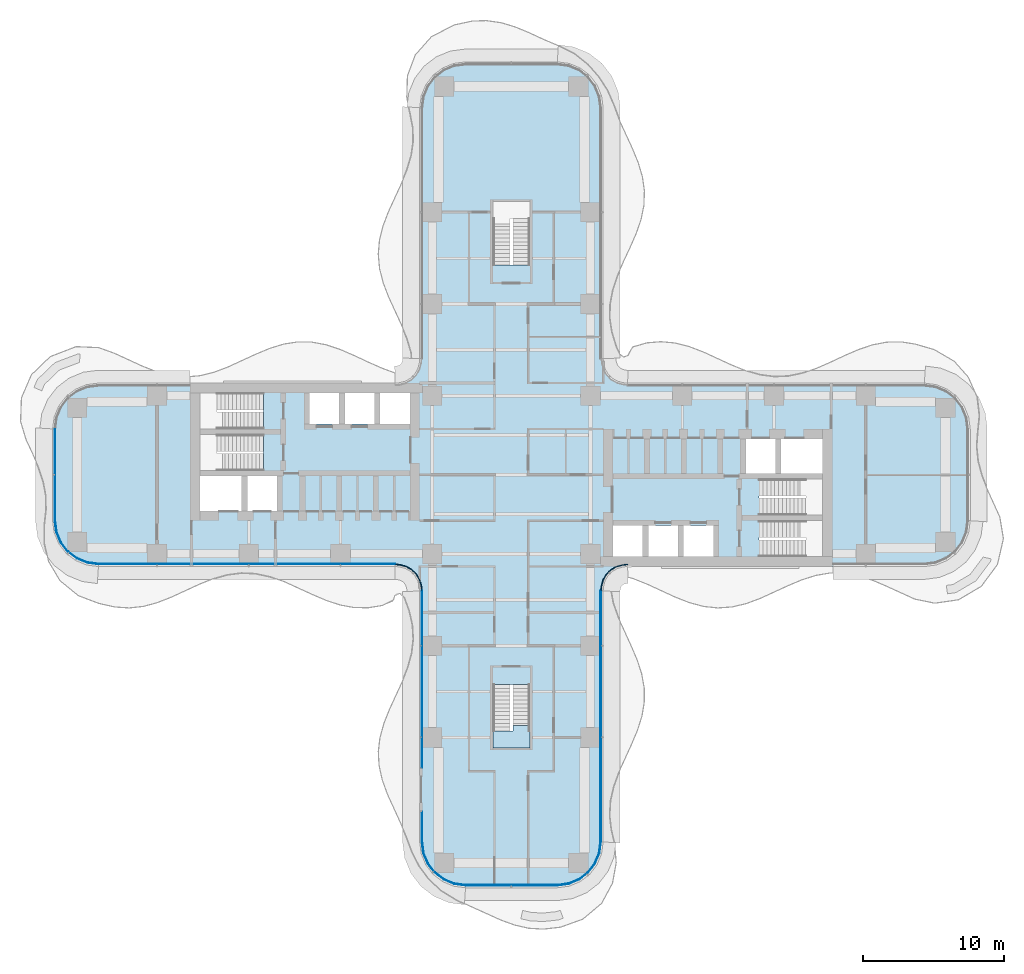
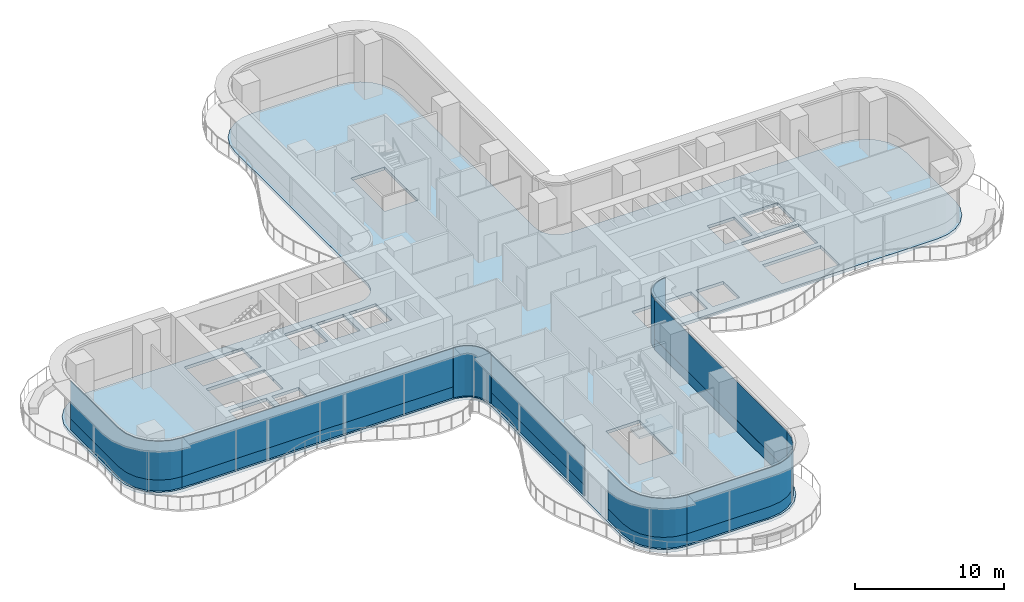
# One storey, part 14 of 22: 14 plates, 2 slabs, 9 elements without a shape of their own.
"""IFC4 building model written with IfcOpenShell, lengths in metres."""

import ifcopenshell
import ifcopenshell.guid

model = None  # the IFC model being written
_history = None  # IfcOwnerHistory: only IFC2X3 demands one
_inside = {}  # id of a spatial element -> (the spatial element, [elements in it])
_under = {}  # id of a project, library or spatial element -> (it, [spatial elements below it])
_declared = {}  # id of a project -> (the project, [libraries it declares])
_typed = {}  # id of a type object -> (the type object, [elements of that type])
_made_of = {}  # id of a material, layer set ... -> (it, [elements and type objects made of it])


def new_model(schema):
    """Start an empty IFC model of exactly this schema.

    Asked for "IFC4X3", IfcOpenShell would pick the latest addendum, in which some entities
    have other attributes; the version numbers below select the first issue.
    IFC2X3 requires an IfcOwnerHistory on every rooted entity: one is made here for all.
    """
    global model, _history
    if schema == "IFC4X3":
        model = ifcopenshell.file(schema_version=(4, 3, 0, 0))
    else:
        model = ifcopenshell.file(schema=schema)
    _inside.clear()
    _under.clear()
    _declared.clear()
    _typed.clear()
    _made_of.clear()
    _history = None
    if model.schema == "IFC2X3":
        org = make("IfcOrganization", Name="unknown")
        user = make(
            "IfcPersonAndOrganization",
            ThePerson=make("IfcPerson", FamilyName="unknown"),
            TheOrganization=org,
        )
        app = make(
            "IfcApplication",
            ApplicationDeveloper=org,
            Version="unknown",
            ApplicationFullName="unknown",
            ApplicationIdentifier="unknown",
        )
        _history = make(
            "IfcOwnerHistory",
            OwningUser=user,
            OwningApplication=app,
            ChangeAction="ADDED",
            CreationDate=0,
        )
    return model


def make(cls, **values):
    """One entity of the class cls with the attributes given. An attribute that is None is left unset."""
    return model.create_entity(
        cls, **{name: value for name, value in values.items() if value is not None}
    )


def rooted(cls, **values):
    """An entity with a GlobalId (a new one), such as an element, a storey or a relation."""
    return make(cls, GlobalId=ifcopenshell.guid.new(), OwnerHistory=_history, **values)


def si_unit(unit_type, name, prefix=None):
    """IfcSIUnit, for example si_unit("LENGTHUNIT", "METRE", prefix="MILLI")."""
    return make("IfcSIUnit", UnitType=unit_type, Prefix=prefix, Name=name)


def assignment(units):
    """IfcUnitAssignment: the units of a project."""
    return None if units is None else make("IfcUnitAssignment", Units=units)


def point(xyz):
    """IfcCartesianPoint."""
    return None if xyz is None else make("IfcCartesianPoint", Coordinates=xyz)


def direction(xyz):
    """IfcDirection."""
    return None if xyz is None else make("IfcDirection", DirectionRatios=xyz)


def frame(location, z_axis=None, x_axis=None):
    """IfcAxis2Placement3D, a coordinate frame: its origin and axes. An axis left out is left unset."""
    return make(
        "IfcAxis2Placement3D",
        Location=point(location),
        Axis=direction(z_axis),
        RefDirection=direction(x_axis),
    )


def origin():
    """The frame at (0, 0, 0) with its axes left unset."""
    return frame((0.0, 0.0, 0.0))


def place(relative_to, where):
    """IfcLocalPlacement: puts the frame where relative to a parent placement (None: the world)."""
    return make(
        "IfcLocalPlacement", PlacementRelTo=relative_to, RelativePlacement=where
    )


def context(
    kind, dimensions, precision=None, world=None, true_north=None, identifier=None
):
    """IfcGeometricRepresentationContext, for example the 3D "Model" context."""
    return make(
        "IfcGeometricRepresentationContext",
        ContextIdentifier=identifier,
        ContextType=kind,
        CoordinateSpaceDimension=dimensions,
        Precision=precision,
        WorldCoordinateSystem=world,
        TrueNorth=true_north,
    )


def subcontext(parent, identifier, kind, view, scale=None):
    """IfcGeometricRepresentationSubContext, for example "Body" below "Model"."""
    return make(
        "IfcGeometricRepresentationSubContext",
        ContextIdentifier=identifier,
        ContextType=kind,
        ParentContext=parent,
        TargetScale=scale,
        TargetView=view,
    )


def project(units=None, contexts=None):
    """IfcProject with its units and contexts."""
    return rooted(
        "IfcProject",
        Name="project",
        RepresentationContexts=contexts,
        UnitsInContext=assignment(units),
    )


def spatial(cls, under=None, at=None, **own):
    """A site, building, storey or space (cls), placed at a placement, below another one or the project."""
    s = rooted(cls, ObjectPlacement=at, **own)
    if under is not None:
        _under.setdefault(under.id(), (under, []))[1].append(s)
    return s


def polyline(points):
    """IfcPolyline through the points."""
    return make("IfcPolyline", Points=[point(p) for p in points])


def outline(outer, holes=None, kind="AREA"):
    """IfcArbitraryClosedProfileDef: a profile drawn as a closed curve; with holes, ...WithVoids."""
    if holes is None:
        return make("IfcArbitraryClosedProfileDef", ProfileType=kind, OuterCurve=outer)
    return make(
        "IfcArbitraryProfileDefWithVoids",
        ProfileType=kind,
        OuterCurve=outer,
        InnerCurves=holes,
    )


def extrude(swept, where, along, depth):
    """IfcExtrudedAreaSolid: the profile swept, set in the frame where, extruded along a direction by depth."""
    return make(
        "IfcExtrudedAreaSolid",
        SweptArea=swept,
        Position=where,
        ExtrudedDirection=direction(along),
        Depth=depth,
    )


def shape(context_of_items, identifier, shape_type, items):
    """IfcShapeRepresentation: the items that make up one representation, for example the "Body"."""
    return make(
        "IfcShapeRepresentation",
        ContextOfItems=context_of_items,
        RepresentationIdentifier=identifier,
        RepresentationType=shape_type,
        Items=items,
    )


def source(mapping_origin, context_of_items, identifier, shape_type, items):
    """IfcRepresentationMap: a shape defined once, which mapped items show again and again."""
    return make(
        "IfcRepresentationMap",
        MappingOrigin=mapping_origin,
        MappedRepresentation=shape(context_of_items, identifier, shape_type, items),
    )


def transform(
    local_origin,
    x_axis=None,
    y_axis=None,
    z_axis=None,
    scale=None,
    scale2=None,
    scale3=None,
    uniform=True,
):
    """IfcCartesianTransformationOperator3D, or its non-uniform kind. x_axis, y_axis, z_axis: its Axis1, 2, 3."""
    if uniform:
        return make(
            "IfcCartesianTransformationOperator3D",
            Axis1=direction(x_axis),
            Axis2=direction(y_axis),
            LocalOrigin=point(local_origin),
            Scale=scale,
            Axis3=direction(z_axis),
        )
    return make(
        "IfcCartesianTransformationOperator3DnonUniform",
        Axis1=direction(x_axis),
        Axis2=direction(y_axis),
        LocalOrigin=point(local_origin),
        Scale=scale,
        Axis3=direction(z_axis),
        Scale2=scale2,
        Scale3=scale3,
    )


def mapped(mapping_source, mapping_target):
    """IfcMappedItem: shows the shape of a source again, moved by a transform."""
    return make(
        "IfcMappedItem", MappingSource=mapping_source, MappingTarget=mapping_target
    )


def material(Name=None, Category=None):
    """IfcMaterial."""
    return make("IfcMaterial", Name=Name, Category=Category)


def layer(
    of_material, thickness, ventilated=None, Name=None, Category=None, Priority=None
):
    """IfcMaterialLayer: one layer of a wall or slab, of a material (None: an air gap)."""
    return make(
        "IfcMaterialLayer",
        Material=of_material,
        LayerThickness=thickness,
        IsVentilated=ventilated,
        Name=Name,
        Category=Category,
        Priority=Priority,
    )


def layer_set(layers, Name=None):
    """IfcMaterialLayerSet."""
    return make("IfcMaterialLayerSet", MaterialLayers=layers, LayerSetName=Name)


def made_of(thing, what):
    """Note that an element or type object is made of a material, layer set ...; save() writes the relation."""
    if what is not None:
        _made_of.setdefault(what.id(), (what, []))[1].append(thing)
    return thing


def type_object(cls, material=None, **own):
    """A type object (cls), such as IfcWallType, which elements share."""
    return made_of(rooted(cls, **own), material)


def element(
    cls,
    number,
    at=None,
    inside=None,
    cuts=None,
    type_object=None,
    material=None,
    context=None,
    identifier="Body",
    shape_type=None,
    held_by="IfcProductDefinitionShape",
    body=None,
    shapes=None,
    **own,
):
    """One element of the class cls, such as IfcWall. Its Tag is "e" and its number.

    at: its placement. inside: the storey or other place that contains it. cuts: it is an
    opening in that element (IfcRelVoidsElement). A single representation is given by context,
    identifier, shape_type and body (its items); several are given by shapes. held_by: the class
    of the entity that holds the representations. save() writes the other relations.
    """
    e = rooted(cls, Tag="e%d" % number, ObjectPlacement=at, **own)
    if body is not None:
        shapes = [shape(context, identifier, shape_type, body)]
    if shapes is not None:
        e.Representation = make(held_by, Representations=shapes)
    if inside is not None:
        _inside.setdefault(inside.id(), (inside, []))[1].append(e)
    if cuts is not None:
        rooted(
            "IfcRelVoidsElement", RelatingBuildingElement=cuts, RelatedOpeningElement=e
        )
    if type_object is not None:
        _typed.setdefault(type_object.id(), (type_object, []))[1].append(e)
    return made_of(e, material)


def aggregate(whole, parts):
    """IfcRelAggregates: a whole, such as a stair, and the parts it consists of."""
    return rooted("IfcRelAggregates", RelatingObject=whole, RelatedObjects=parts)


def save(model, path):
    """Write the relations noted so far, then the file.

    IfcRelAggregates (storeys below a building ...), IfcRelContainedInSpatialStructure (elements
    in a storey), IfcRelDefinesByType, IfcRelAssociatesMaterial and IfcRelDeclares: one each for
    every whole, place, type object, material and project.
    """
    for whole, parts in _under.values():
        aggregate(whole, parts)
    for where, things in _inside.values():
        rooted(
            "IfcRelContainedInSpatialStructure",
            RelatedElements=things,
            RelatingStructure=where,
        )
    for kind, things in _typed.values():
        rooted("IfcRelDefinesByType", RelatedObjects=things, RelatingType=kind)
    for what, things in _made_of.values():
        rooted("IfcRelAssociatesMaterial", RelatedObjects=things, RelatingMaterial=what)
    for by, libraries in _declared.values():
        rooted("IfcRelDeclares", RelatingContext=by, RelatedDefinitions=libraries)
    model.write(path)


model = new_model("IFC4")

# Units and contexts
model_context = context("Model", 3, precision=1e-05, world=origin(), true_north=direction((0.0, 1.0)))
body_context = subcontext(model_context, "Body", "Model", "MODEL_VIEW")
ifc_project = project(units=[si_unit("LENGTHUNIT", "METRE"), si_unit("AREAUNIT", "SQUARE_METRE"), si_unit("VOLUMEUNIT", "CUBIC_METRE"), si_unit("PLANEANGLEUNIT", "RADIAN"), si_unit("MASSUNIT", "GRAM", prefix="KILO")], contexts=[model_context])

# Site, building, storey
site_placement = place(None, origin())
site = spatial("IfcSite", under=ifc_project, at=site_placement, CompositionType="ELEMENT")
building_placement = place(site_placement, origin())
building = spatial("IfcBuilding", under=site, at=building_placement, Name="Trellis Farm Tower", CompositionType="ELEMENT")
storey_placement = place(building_placement, frame((0.0, 0.0, 56.5)))
storey = spatial("IfcBuildingStorey", under=building, at=storey_placement, Name="L11", CompositionType="ELEMENT", Elevation=56.5)

# Slab
ifc_material_1 = material(Name="Concrete C40/50", Category="concrete")
ifc_layer_1 = layer(ifc_material_1, 0.25)
ifc_layer_set_1 = layer_set([ifc_layer_1], Name="Composite deck floor slab 250")
slab_type_1 = type_object("IfcSlabType", Name="Composite deck floor slab 250", PredefinedType="FLOOR", material=ifc_layer_set_1)
shared_shape_1 = source(origin(), body_context, "Body", "SweptSolid", [
    extrude(outline(polyline([(-30.09130859375, -6.389404296875), (-30.875, -6.064697265625), (-31.548095703125, -5.548095703125), (-32.064697265625, -4.875), (-32.389404296875, -4.09130859375), (-32.5, -3.25), (-32.5, 3.25), (-32.389404296875, 4.09130859375), (-32.064697265625, 4.875), (-31.548095703125, 5.548095703125), (-30.875, 6.064697265625), (-30.09130859375, 6.389404296875), (-29.25, 6.5), (-8.2314453125, 6.5), (-8.01953125, 6.513916015625), (-7.91552734375, 6.527587890625), (-7.508544921875, 6.63671875), (-7.144287109375, 6.846923828125), (-6.846923828125, 7.144287109375), (-6.63671875, 7.508544921875), (-6.527587890625, 7.91552734375), (-6.513916015625, 8.01953125), (-6.5, 8.2314453125), (-6.5, 26.0), (-6.389404296875, 26.84130859375), (-6.064697265625, 27.625), (-5.548095703125, 28.298095703125), (-4.875, 28.814697265625), (-4.09130859375, 29.139404296875), (-3.25, 29.25), (3.25, 29.25), (4.09130859375, 29.139404296875), (4.875, 28.814697265625), (5.548095703125, 28.298095703125), (6.064697265625, 27.625), (6.389404296875, 26.84130859375), (6.5, 26.0), (6.5, 8.2314453125), (6.513916015625, 8.01953125), (6.527587890625, 7.91552734375), (6.63671875, 7.508544921875), (6.846923828125, 7.144287109375), (7.144287109375, 6.846923828125), (7.508544921875, 6.63671875), (7.91552734375, 6.527587890625), (8.01953125, 6.513916015625), (8.2314453125, 6.5), (29.25, 6.5), (30.09130859375, 6.389404296875), (30.875, 6.064697265625), (31.548095703125, 5.548095703125), (32.064697265625, 4.875), (32.389404296875, 4.09130859375), (32.5, 3.25), (32.5, -3.25), (32.389404296875, -4.09130859375), (32.064697265625, -4.875), (31.548095703125, -5.548095703125), (30.875, -6.064697265625), (30.09130859375, -6.389404296875), (29.25, -6.5), (8.2314453125, -6.5), (8.01953125, -6.513916015625), (7.91552734375, -6.527587890625), (7.508544921875, -6.63671875), (7.144287109375, -6.846923828125), (6.846923828125, -7.144287109375), (6.63671875, -7.508544921875), (6.527587890625, -7.91552734375), (6.513916015625, -8.01953125), (6.5, -8.2314453125), (6.5, -26.0), (6.389404296875, -26.84130859375), (6.064697265625, -27.625), (5.548095703125, -28.298095703125), (4.875, -28.814697265625), (4.09130859375, -29.139404296875), (3.25, -29.25), (-3.25, -29.25), (-4.09130859375, -29.139404296875), (-4.875, -28.814697265625), (-5.548095703125, -28.298095703125), (-6.064697265625, -27.625), (-6.389404296875, -26.84130859375), (-6.5, -26.0), (-6.5, -8.2314453125), (-6.513916015625, -8.01953125), (-6.527587890625, -7.91552734375), (-6.63671875, -7.508544921875), (-6.846923828125, -7.144287109375), (-7.144287109375, -6.846923828125), (-7.508544921875, -6.63671875), (-7.91552734375, -6.527587890625), (-8.01953125, -6.513916015625), (-8.2314453125, -6.5), (-29.25, -6.5), (-30.09130859375, -6.389404296875)]), holes=[polyline([(-22.050048828125, -0.10009765625), (-22.050048828125, -2.550048828125), (-19.10009765625, -2.550048828125), (-19.10009765625, -0.10009765625), (-22.050048828125, -0.10009765625)]), polyline([(-18.699951171875, -0.10009765625), (-18.699951171875, -2.550048828125), (-16.60009765625, -2.550048828125), (-16.60009765625, -0.10009765625), (-18.699951171875, -0.10009765625)]), polyline([(-17.56201171875, 1.64990234375), (-17.56201171875, 2.85009765625), (-22.050048828125, 2.85009765625), (-22.050048828125, 0.300048828125), (-17.56005859375, 0.300048828125), (-17.56005859375, 1.5), (-17.550048828125, 1.5), (-17.550048828125, 1.64990234375), (-17.56201171875, 1.64990234375)]), polyline([(-17.56201171875, 4.60009765625), (-17.56201171875, 5.800048828125), (-22.050048828125, 5.800048828125), (-22.050048828125, 3.25), (-17.56005859375, 3.25), (-17.56005859375, 4.449951171875), (-17.550048828125, 4.449951171875), (-17.550048828125, 4.60009765625), (-17.56201171875, 4.60009765625)]), polyline([(-14.300048828125, 5.800048828125), (-14.300048828125, 3.60009765625), (-12.199951171875, 3.60009765625), (-12.199951171875, 5.800048828125), (-14.300048828125, 5.800048828125)]), polyline([(-11.800048828125, 5.800048828125), (-11.800048828125, 3.60009765625), (-9.699951171875, 3.60009765625), (-9.699951171875, 5.800048828125), (-11.800048828125, 5.800048828125)]), polyline([(-9.300048828125, 5.800048828125), (-9.300048828125, 3.60009765625), (-7.199951171875, 3.60009765625), (-7.199951171875, 5.800048828125), (-9.300048828125, 5.800048828125)]), polyline([(0.10009765625, 14.862060546875), (1.300048828125, 14.862060546875), (1.300048828125, 19.35009765625), (-1.300048828125, 19.35009765625), (-1.300048828125, 14.860107421875), (-0.10009765625, 14.860107421875), (-0.10009765625, 14.85009765625), (0.10009765625, 14.85009765625), (0.10009765625, 14.862060546875)]), polyline([(-0.10009765625, -14.862060546875), (-1.300048828125, -14.862060546875), (-1.300048828125, -19.35009765625), (1.300048828125, -19.35009765625), (1.300048828125, -14.860107421875), (0.10009765625, -14.860107421875), (0.10009765625, -14.85009765625), (-0.10009765625, -14.85009765625), (-0.10009765625, -14.862060546875)]), polyline([(9.300048828125, -5.800048828125), (9.300048828125, -3.60009765625), (7.199951171875, -3.60009765625), (7.199951171875, -5.800048828125), (9.300048828125, -5.800048828125)]), polyline([(11.800048828125, -5.800048828125), (11.800048828125, -3.60009765625), (9.699951171875, -3.60009765625), (9.699951171875, -5.800048828125), (11.800048828125, -5.800048828125)]), polyline([(14.300048828125, -5.800048828125), (14.300048828125, -3.60009765625), (12.199951171875, -3.60009765625), (12.199951171875, -5.800048828125), (14.300048828125, -5.800048828125)]), polyline([(17.56201171875, -4.60009765625), (17.56201171875, -5.800048828125), (22.050048828125, -5.800048828125), (22.050048828125, -3.25), (17.56005859375, -3.25), (17.56005859375, -4.449951171875), (17.550048828125, -4.449951171875), (17.550048828125, -4.60009765625), (17.56201171875, -4.60009765625)]), polyline([(17.56201171875, -1.64990234375), (17.56201171875, -2.85009765625), (22.050048828125, -2.85009765625), (22.050048828125, -0.300048828125), (17.56005859375, -0.300048828125), (17.56005859375, -1.5), (17.550048828125, -1.5), (17.550048828125, -1.64990234375), (17.56201171875, -1.64990234375)]), polyline([(18.699951171875, 0.10009765625), (18.699951171875, 2.550048828125), (16.60009765625, 2.550048828125), (16.60009765625, 0.10009765625), (18.699951171875, 0.10009765625)]), polyline([(22.050048828125, 0.10009765625), (22.050048828125, 2.550048828125), (19.10009765625, 2.550048828125), (19.10009765625, 0.10009765625), (22.050048828125, 0.10009765625)])]), origin(), (0.0, 0.0, 1.0), 0.25),
])
slab_1_placement = place(storey_placement, frame((0.0, 0.0, -0.25)))
element("IfcSlab", 1, at=slab_1_placement, inside=storey, type_object=slab_type_1, Name="Floor slab", PredefinedType="FLOOR", context=body_context, shape_type="MappedRepresentation", body=[
    mapped(shared_shape_1, transform((0.0, 0.0, 0.0))),
])

# Stair, slab
ifc_material_2 = material(Name="Concrete C50/60", Category="concrete")
stair_type = type_object("IfcStairType", Name="CORE EXIT STAIR 26 RISERS 173 MM", PredefinedType="HALF_TURN_STAIR", material=ifc_material_2)
placement_1 = place(storey_placement, origin())
stair = element("IfcStair", 2, at=placement_1, inside=storey, type_object=stair_type, Name="Exit stair S", PredefinedType="HALF_TURN_STAIR")
ifc_layer_2 = layer(ifc_material_2, 0.18994140625)
ifc_layer_set_2 = layer_set([ifc_layer_2], Name="CORE STAIR LANDING 190 CONCRETE C50/60")
slab_type_2 = type_object("IfcSlabType", Name="CORE STAIR LANDING 190 CONCRETE C50/60", PredefinedType="LANDING", material=ifc_layer_set_2)
shared_shape_2 = source(origin(), body_context, "Body", "SweptSolid", [
    extrude(outline(polyline([(1.300048828125, -19.35009765625), (-1.300048828125, -19.35009765625), (-1.300048828125, -18.14990234375), (-1.300048828125, -18.139892578125), (-0.10009765625, -18.139892578125), (-0.10009765625, -18.14990234375), (0.10009765625, -18.14990234375), (0.10009765625, -17.753173828125), (1.300048828125, -17.753173828125), (1.300048828125, -18.14990234375), (1.300048828125, -19.35009765625)])), origin(), (0.0, 0.0, 1.0), 0.18994140625),
])
slab_2_placement = place(storey_placement, frame((0.0, 0.0, 2.06005859375)))
slab_2 = element("IfcSlab", 3, at=slab_2_placement, type_object=slab_type_2, Name="STS landing 1", PredefinedType="LANDING", context=body_context, shape_type="MappedRepresentation", body=[
    mapped(shared_shape_2, transform((0.0, 0.0, 0.0))),
])
aggregate(stair, [slab_2])

# Curtain wall, plates
ifc_material_3 = material(Name="Aluminium and glass curtain wall", Category="aluminium")
ifc_layer_3 = layer(ifc_material_3, 0.18994140625)
ifc_layer_set_3 = layer_set([ifc_layer_3], Name="RIBBON CURTAIN WALL CW1")
curtain_wall_type_1 = type_object("IfcCurtainWallType", Name="RIBBON CURTAIN WALL CW1", PredefinedType="NOTDEFINED", material=ifc_layer_set_3)
curtain_wall_1 = element("IfcCurtainWall", 4, at=placement_1, inside=storey, type_object=curtain_wall_type_1, Name="CW1 001", PredefinedType="NOTDEFINED")
ifc_material_4 = material(Name="Clear insulated glass", Category="glass")
ifc_layer_4 = layer(ifc_material_4, 0.0400390625)
ifc_layer_set_4 = layer_set([ifc_layer_4], Name="CW1 GLASS PANEL 40")
plate_type_1 = type_object("IfcPlateType", Name="CW1 GLASS PANEL 40", PredefinedType="CURTAIN_PANEL", material=ifc_layer_set_4)
shared_shape_3 = source(origin(), body_context, "Body", "SweptSolid", [
    extrude(outline(polyline([(-29.240234375, -6.35009765625), (-8.2265625, -6.35009765625), (-8.22509765625, -6.31005859375), (-29.237548828125, -6.31005859375), (-29.240234375, -6.35009765625)])), origin(), (0.0, 0.0, 1.0), 3.170166015625),
])
placement_2 = place(storey_placement, frame((0.0, 0.0, 0.89990234375)))
plate_1 = element("IfcPlate", 5, at=placement_2, type_object=plate_type_1, Name="PL1 001", PredefinedType="CURTAIN_PANEL", context=body_context, shape_type="MappedRepresentation", body=[
    mapped(shared_shape_3, transform((0.0, 0.0, 0.0))),
])
ifc_material_5 = material(Name="Sandstone faced insulated panel", Category="masonry")
ifc_layer_5 = layer(ifc_material_5, 0.050048828125)
ifc_layer_set_5 = layer_set([ifc_layer_5], Name="CW1 STONE SPANDREL PANEL 50")
plate_type_2 = type_object("IfcPlateType", Name="CW1 STONE SPANDREL PANEL 50", PredefinedType="CURTAIN_PANEL", material=ifc_layer_set_5)
shared_shape_4 = source(origin(), body_context, "Body", "SweptSolid", [
    extrude(outline(polyline([(-29.240234375, -6.35009765625), (-8.2265625, -6.35009765625), (-8.224853515625, -6.300048828125), (-29.23681640625, -6.300048828125), (-29.240234375, -6.35009765625)])), origin(), (0.0, 0.0, 1.0), 0.89990234375),
])
plate_2 = element("IfcPlate", 6, at=placement_1, type_object=plate_type_2, Name="PS1 001", PredefinedType="CURTAIN_PANEL", context=body_context, shape_type="MappedRepresentation", body=[
    mapped(shared_shape_4, transform((0.0, 0.0, 0.0))),
])
aggregate(curtain_wall_1, [plate_1, plate_2])

# Curtain wall, plate
ifc_layer_6 = layer(ifc_material_3, 0.166015625)
ifc_layer_set_6 = layer_set([ifc_layer_6], Name="WINTER GARDEN CURTAIN WALL CW3")
curtain_wall_type_2 = type_object("IfcCurtainWallType", Name="WINTER GARDEN CURTAIN WALL CW3", PredefinedType="NOTDEFINED", material=ifc_layer_set_6)
curtain_wall_2 = element("IfcCurtainWall", 7, at=placement_1, inside=storey, type_object=curtain_wall_type_2, Name="CW3 001", PredefinedType="NOTDEFINED")
ifc_layer_7 = layer(ifc_material_4, 0.0458984375)
ifc_layer_set_7 = layer_set([ifc_layer_7], Name="CW3 GLASS PANEL 46")
plate_type_3 = type_object("IfcPlateType", Name="CW3 GLASS PANEL 46", PredefinedType="CURTAIN_PANEL", material=ifc_layer_set_7)
shared_shape_5 = source(origin(), body_context, "Body", "SweptSolid", [
    extrude(outline(polyline([(-8.2275390625, -6.3798828125), (-8.0078125, -6.394287109375), (-7.89208984375, -6.40966796875), (-7.462158203125, -6.52490234375), (-7.070556640625, -6.7509765625), (-6.7509765625, -7.070556640625), (-6.52490234375, -7.462158203125), (-6.40966796875, -7.89208984375), (-6.394287109375, -8.0078125), (-6.3798828125, -8.2275390625), (-6.333984375, -8.22607421875), (-6.3486328125, -8.003173828125), (-6.364501953125, -7.883056640625), (-6.48193359375, -7.4443359375), (-6.714111328125, -7.04248046875), (-7.04248046875, -6.714111328125), (-7.4443359375, -6.48193359375), (-7.883056640625, -6.364501953125), (-8.003173828125, -6.3486328125), (-8.22607421875, -6.333984375), (-8.2275390625, -6.3798828125)])), origin(), (0.0, 0.0, 1.0), 4.10009765625),
])
plate_3 = element("IfcPlate", 8, at=placement_1, type_object=plate_type_3, Name="PL3 001", PredefinedType="CURTAIN_PANEL", context=body_context, shape_type="MappedRepresentation", body=[
    mapped(shared_shape_5, transform((0.0, 0.0, 0.0))),
])
aggregate(curtain_wall_2, [plate_3])

# Curtain wall, plates
curtain_wall_3 = element("IfcCurtainWall", 9, at=placement_1, inside=storey, type_object=curtain_wall_type_1, Name="CW1 004", PredefinedType="NOTDEFINED")
shared_shape_6 = source(origin(), body_context, "Body", "SweptSolid", [
    extrude(outline(polyline([(-3.240234375, -29.10009765625), (3.240234375, -29.10009765625), (4.052001953125, -28.9931640625), (4.79931640625, -28.68359375), (5.441162109375, -28.191162109375), (5.93359375, -27.54931640625), (6.2431640625, -26.802001953125), (6.35009765625, -25.990234375), (6.31005859375, -25.987548828125), (6.2041015625, -26.79150390625), (5.898681640625, -27.529296875), (5.41259765625, -28.16259765625), (4.779296875, -28.648681640625), (4.04150390625, -28.9541015625), (3.237548828125, -29.06005859375), (-3.237548828125, -29.06005859375), (-3.240234375, -29.10009765625)])), origin(), (0.0, 0.0, 1.0), 3.170166015625),
])
plate_4 = element("IfcPlate", 10, at=placement_2, type_object=plate_type_1, Name="PL1 004", PredefinedType="CURTAIN_PANEL", context=body_context, shape_type="MappedRepresentation", body=[
    mapped(shared_shape_6, transform((0.0, 0.0, 0.0))),
])
shared_shape_7 = source(origin(), body_context, "Body", "SweptSolid", [
    extrude(outline(polyline([(-3.240234375, -29.10009765625), (3.240234375, -29.10009765625), (4.052001953125, -28.9931640625), (4.79931640625, -28.68359375), (5.441162109375, -28.191162109375), (5.93359375, -27.54931640625), (6.2431640625, -26.802001953125), (6.35009765625, -25.990234375), (6.300048828125, -25.98681640625), (6.1943359375, -26.7890625), (5.889892578125, -27.524169921875), (5.405517578125, -28.155517578125), (4.774169921875, -28.639892578125), (4.0390625, -28.9443359375), (3.23681640625, -29.050048828125), (-3.23681640625, -29.050048828125), (-3.240234375, -29.10009765625)])), origin(), (0.0, 0.0, 1.0), 0.89990234375),
])
plate_5 = element("IfcPlate", 11, at=placement_1, type_object=plate_type_2, Name="PS1 004", PredefinedType="CURTAIN_PANEL", context=body_context, shape_type="MappedRepresentation", body=[
    mapped(shared_shape_7, transform((0.0, 0.0, 0.0))),
])
aggregate(curtain_wall_3, [plate_4, plate_5])

curtain_wall_4 = element("IfcCurtainWall", 12, at=placement_1, inside=storey, type_object=curtain_wall_type_1, Name="CW1 005", PredefinedType="NOTDEFINED")
shared_shape_8 = source(origin(), body_context, "Body", "SweptSolid", [
    extrude(outline(polyline([(6.35009765625, -25.990234375), (6.35009765625, -8.2265625), (6.31005859375, -8.22509765625), (6.31005859375, -25.987548828125), (6.35009765625, -25.990234375)])), origin(), (0.0, 0.0, 1.0), 3.170166015625),
])
plate_6 = element("IfcPlate", 13, at=placement_2, type_object=plate_type_1, Name="PL1 005", PredefinedType="CURTAIN_PANEL", context=body_context, shape_type="MappedRepresentation", body=[
    mapped(shared_shape_8, transform((0.0, 0.0, 0.0))),
])
shared_shape_9 = source(origin(), body_context, "Body", "SweptSolid", [
    extrude(outline(polyline([(6.35009765625, -25.990234375), (6.35009765625, -8.2265625), (6.300048828125, -8.224853515625), (6.300048828125, -25.98681640625), (6.35009765625, -25.990234375)])), origin(), (0.0, 0.0, 1.0), 0.89990234375),
])
plate_7 = element("IfcPlate", 14, at=placement_1, type_object=plate_type_2, Name="PS1 005", PredefinedType="CURTAIN_PANEL", context=body_context, shape_type="MappedRepresentation", body=[
    mapped(shared_shape_9, transform((0.0, 0.0, 0.0))),
])
aggregate(curtain_wall_4, [plate_6, plate_7])

# Curtain wall, plate
curtain_wall_5 = element("IfcCurtainWall", 15, at=placement_1, inside=storey, type_object=curtain_wall_type_2, Name="CW3 002", PredefinedType="NOTDEFINED")
shared_shape_10 = source(origin(), body_context, "Body", "SweptSolid", [
    extrude(outline(polyline([(6.3798828125, -8.2275390625), (6.394287109375, -8.0078125), (6.40966796875, -7.89208984375), (6.52490234375, -7.462158203125), (6.7509765625, -7.070556640625), (7.070556640625, -6.7509765625), (7.462158203125, -6.52490234375), (7.89208984375, -6.40966796875), (8.0078125, -6.394287109375), (8.2275390625, -6.3798828125), (8.22607421875, -6.333984375), (8.003173828125, -6.3486328125), (7.883056640625, -6.364501953125), (7.4443359375, -6.48193359375), (7.04248046875, -6.714111328125), (6.714111328125, -7.04248046875), (6.48193359375, -7.4443359375), (6.364501953125, -7.883056640625), (6.3486328125, -8.003173828125), (6.333984375, -8.22607421875), (6.3798828125, -8.2275390625)])), origin(), (0.0, 0.0, 1.0), 4.10009765625),
])
plate_8 = element("IfcPlate", 16, at=placement_1, type_object=plate_type_3, Name="PL3 002", PredefinedType="CURTAIN_PANEL", context=body_context, shape_type="MappedRepresentation", body=[
    mapped(shared_shape_10, transform((0.0, 0.0, 0.0))),
])
aggregate(curtain_wall_5, [plate_8])

# Curtain wall, plates
curtain_wall_6 = element("IfcCurtainWall", 17, at=placement_1, inside=storey, type_object=curtain_wall_type_1, Name="CW1 013", PredefinedType="NOTDEFINED")
shared_shape_11 = source(origin(), body_context, "Body", "SweptSolid", [
    extrude(outline(polyline([(-32.35009765625, 3.240234375), (-32.35009765625, -3.240234375), (-32.2431640625, -4.052001953125), (-31.93359375, -4.79931640625), (-31.441162109375, -5.441162109375), (-30.79931640625, -5.93359375), (-30.052001953125, -6.2431640625), (-29.240234375, -6.35009765625), (-29.237548828125, -6.31005859375), (-30.04150390625, -6.2041015625), (-30.779296875, -5.898681640625), (-31.41259765625, -5.41259765625), (-31.898681640625, -4.779296875), (-32.2041015625, -4.04150390625), (-32.31005859375, -3.237548828125), (-32.31005859375, 3.237548828125), (-32.35009765625, 3.240234375)])), origin(), (0.0, 0.0, 1.0), 3.170166015625),
])
plate_9 = element("IfcPlate", 18, at=placement_2, type_object=plate_type_1, Name="PL1 013", PredefinedType="CURTAIN_PANEL", context=body_context, shape_type="MappedRepresentation", body=[
    mapped(shared_shape_11, transform((0.0, 0.0, 0.0))),
])
shared_shape_12 = source(origin(), body_context, "Body", "SweptSolid", [
    extrude(outline(polyline([(-32.35009765625, 3.240234375), (-32.35009765625, -3.240234375), (-32.2431640625, -4.052001953125), (-31.93359375, -4.79931640625), (-31.441162109375, -5.441162109375), (-30.79931640625, -5.93359375), (-30.052001953125, -6.2431640625), (-29.240234375, -6.35009765625), (-29.23681640625, -6.300048828125), (-30.0390625, -6.1943359375), (-30.774169921875, -5.889892578125), (-31.405517578125, -5.405517578125), (-31.889892578125, -4.774169921875), (-32.1943359375, -4.0390625), (-32.300048828125, -3.23681640625), (-32.300048828125, 3.23681640625), (-32.35009765625, 3.240234375)])), origin(), (0.0, 0.0, 1.0), 0.89990234375),
])
plate_10 = element("IfcPlate", 19, at=placement_1, type_object=plate_type_2, Name="PS1 013", PredefinedType="CURTAIN_PANEL", context=body_context, shape_type="MappedRepresentation", body=[
    mapped(shared_shape_12, transform((0.0, 0.0, 0.0))),
])
aggregate(curtain_wall_6, [plate_9, plate_10])

curtain_wall_7 = element("IfcCurtainWall", 20, at=placement_1, inside=storey, type_object=curtain_wall_type_1, Name="CW1 002", PredefinedType="NOTDEFINED")
shared_shape_13 = source(origin(), body_context, "Body", "SweptSolid", [
    extrude(outline(polyline([(-6.35009765625, -8.2265625), (-6.35009765625, -20.739990234375), (-6.31005859375, -20.739990234375), (-6.31005859375, -8.22509765625), (-6.35009765625, -8.2265625)])), origin(), (0.0, 0.0, 1.0), 3.170166015625),
])
plate_11 = element("IfcPlate", 21, at=placement_2, type_object=plate_type_1, Name="PL1 002", PredefinedType="CURTAIN_PANEL", context=body_context, shape_type="MappedRepresentation", body=[
    mapped(shared_shape_13, transform((0.0, 0.0, 0.0))),
])
shared_shape_14 = source(origin(), body_context, "Body", "SweptSolid", [
    extrude(outline(polyline([(-6.35009765625, -8.2265625), (-6.35009765625, -20.739990234375), (-6.300048828125, -20.739990234375), (-6.300048828125, -8.224853515625), (-6.35009765625, -8.2265625)])), origin(), (0.0, 0.0, 1.0), 0.89990234375),
])
plate_12 = element("IfcPlate", 22, at=placement_1, type_object=plate_type_2, Name="PS1 002", PredefinedType="CURTAIN_PANEL", context=body_context, shape_type="MappedRepresentation", body=[
    mapped(shared_shape_14, transform((0.0, 0.0, 0.0))),
])
aggregate(curtain_wall_7, [plate_11, plate_12])

curtain_wall_8 = element("IfcCurtainWall", 23, at=placement_1, inside=storey, type_object=curtain_wall_type_1, Name="CW1 003", PredefinedType="NOTDEFINED")
shared_shape_15 = source(origin(), body_context, "Body", "SweptSolid", [
    extrude(outline(polyline([(-6.35009765625, -23.860107421875), (-6.35009765625, -25.990234375), (-6.2431640625, -26.802001953125), (-5.93359375, -27.54931640625), (-5.441162109375, -28.191162109375), (-4.79931640625, -28.68359375), (-4.052001953125, -28.9931640625), (-3.240234375, -29.10009765625), (-3.237548828125, -29.06005859375), (-4.04150390625, -28.9541015625), (-4.779296875, -28.648681640625), (-5.41259765625, -28.16259765625), (-5.898681640625, -27.529296875), (-6.2041015625, -26.79150390625), (-6.31005859375, -25.987548828125), (-6.31005859375, -23.860107421875), (-6.35009765625, -23.860107421875)])), origin(), (0.0, 0.0, 1.0), 3.170166015625),
])
plate_13 = element("IfcPlate", 24, at=placement_2, type_object=plate_type_1, Name="PL1 003", PredefinedType="CURTAIN_PANEL", context=body_context, shape_type="MappedRepresentation", body=[
    mapped(shared_shape_15, transform((0.0, 0.0, 0.0))),
])
shared_shape_16 = source(origin(), body_context, "Body", "SweptSolid", [
    extrude(outline(polyline([(-6.35009765625, -23.860107421875), (-6.35009765625, -25.990234375), (-6.2431640625, -26.802001953125), (-5.93359375, -27.54931640625), (-5.441162109375, -28.191162109375), (-4.79931640625, -28.68359375), (-4.052001953125, -28.9931640625), (-3.240234375, -29.10009765625), (-3.23681640625, -29.050048828125), (-4.0390625, -28.9443359375), (-4.774169921875, -28.639892578125), (-5.405517578125, -28.155517578125), (-5.889892578125, -27.524169921875), (-6.1943359375, -26.7890625), (-6.300048828125, -25.98681640625), (-6.300048828125, -23.860107421875), (-6.35009765625, -23.860107421875)])), origin(), (0.0, 0.0, 1.0), 0.89990234375),
])
plate_14 = element("IfcPlate", 25, at=placement_1, type_object=plate_type_2, Name="PS1 003", PredefinedType="CURTAIN_PANEL", context=body_context, shape_type="MappedRepresentation", body=[
    mapped(shared_shape_16, transform((0.0, 0.0, 0.0))),
])
aggregate(curtain_wall_8, [plate_13, plate_14])

save(model, "model.ifc")
